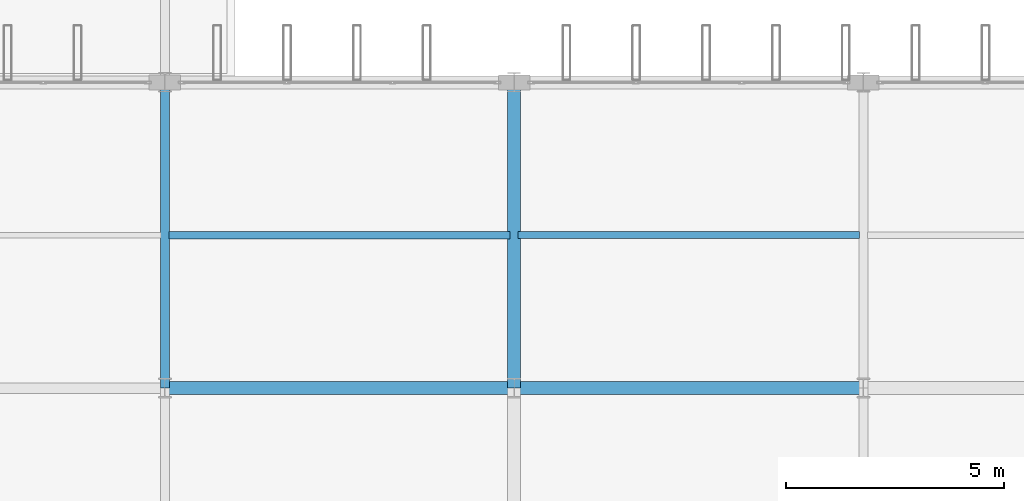
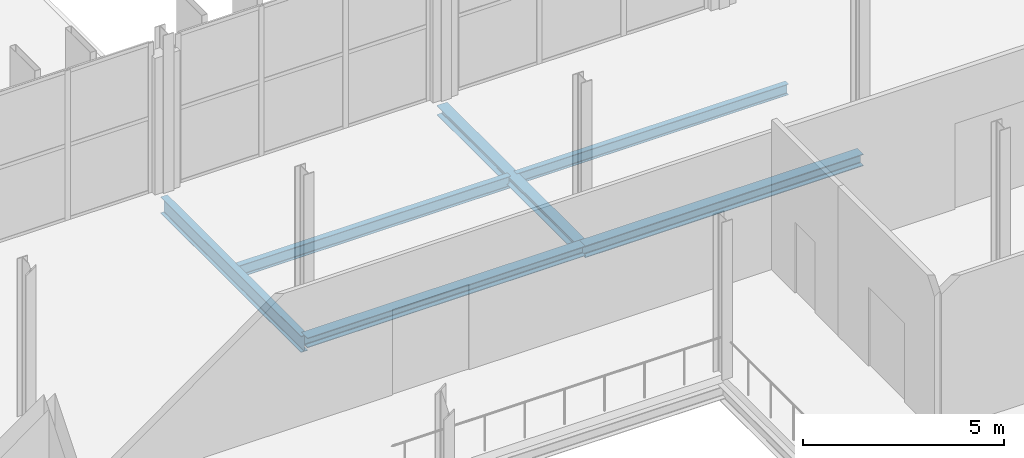
# One storey, part 49 of 120: 6 beams.
"""IFC4 building model written with IfcOpenShell, lengths in metres."""

from ifc_helpers import new_model, si_unit, direction, frame, origin, origin_2d, place, context, subcontext, project, spatial, i_section, extrude, material, material_profile, profile_set, type_object, element, save


model = new_model("IFC4")

# Units and contexts
model_context = context("Model", 3, precision=1e-05, world=origin(), true_north=direction((0.0, 1.0)))
body_context = subcontext(model_context, "Body", "Model", "MODEL_VIEW")
ifc_project = project(units=[si_unit("LENGTHUNIT", "METRE"), si_unit("AREAUNIT", "SQUARE_METRE"), si_unit("VOLUMEUNIT", "CUBIC_METRE"), si_unit("PLANEANGLEUNIT", "RADIAN"), si_unit("MASSUNIT", "GRAM", prefix="KILO")], contexts=[model_context])

# Site, building, storey
site_placement = place(None, origin())
site = spatial("IfcSite", under=ifc_project, at=site_placement, CompositionType="ELEMENT")
building_placement = place(site_placement, origin())
building = spatial("IfcBuilding", under=site, at=building_placement, Name="Vekula Escarpment Museum", CompositionType="ELEMENT")
storey_placement = place(building_placement, frame((0.0, 0.0, 13.199951171875)))
storey = spatial("IfcBuildingStorey", under=building, at=storey_placement, Name="L03", CompositionType="ELEMENT", Elevation=13.199951171875)

# Beams
ifc_material_1 = material(Name="Steel S355", Category="steel")
ifc_material_profile_1 = material_profile(ifc_material_1, i_section(OverallWidth=0.300048828125, OverallDepth=0.300048828125, WebThickness=0.010986328125, FlangeThickness=0.01904296875, FilletRadius=0.027099609375, at=origin_2d()), Name="HEB 300")
ifc_profile_set_1 = profile_set([ifc_material_profile_1], Name="Steel S355")
beam_type_1 = type_object("IfcBeamType", Name="BM-GIRD-HEB300", PredefinedType="BEAM", material=ifc_profile_set_1)
beam_1_placement = place(storey_placement, frame((102.0, 83.39990234375, -0.39990234375), z_axis=(1.0, 0.0, 0.0), x_axis=(0.0, 1.0, 0.0)))
element("IfcBeam", 1, at=beam_1_placement, inside=storey, type_object=beam_type_1, Name="Beam X L03 1410", PredefinedType="BEAM", context=body_context, shape_type="SweptSolid", body=[
    extrude(i_section(OverallWidth=0.300048828125, OverallDepth=0.300048828125, WebThickness=0.010986328125, FlangeThickness=0.01904296875, FilletRadius=0.027099609375, at=origin_2d()), origin(), (0.0, 0.0, 1.0), 8.0),
])
ifc_material_2 = material(Name="Steel S355", Category="steel")
ifc_material_profile_2 = material_profile(ifc_material_2, i_section(OverallWidth=0.300048828125, OverallDepth=0.360107421875, WebThickness=0.012451171875, FlangeThickness=0.0224609375, FilletRadius=0.027099609375, at=origin_2d()), Name="HEB 360")
ifc_profile_set_2 = profile_set([ifc_material_profile_2], Name="Steel S355")
beam_type_2 = type_object("IfcBeamType", Name="BM-GIRD-HEB360", PredefinedType="BEAM", material=ifc_profile_set_2)
beam_2_placement = place(storey_placement, frame((110.0, 83.39990234375, -0.429931640625), z_axis=(1.0, 0.0, 0.0), x_axis=(0.0, 1.0, 0.0)))
element("IfcBeam", 2, at=beam_2_placement, inside=storey, type_object=beam_type_2, Name="Beam X L03 1411", PredefinedType="BEAM", context=body_context, shape_type="SweptSolid", body=[
    extrude(i_section(OverallWidth=0.300048828125, OverallDepth=0.360107421875, WebThickness=0.012451171875, FlangeThickness=0.0224609375, FilletRadius=0.027099609375, at=origin_2d()), origin(), (0.0, 0.0, 1.0), 8.0),
])
ifc_material_3 = material(Name="Steel S355", Category="steel")
ifc_material_profile_3 = material_profile(ifc_material_3, i_section(OverallWidth=0.199951171875, OverallDepth=0.5, WebThickness=0.01025390625, FlangeThickness=0.01611328125, FilletRadius=0.02099609375, at=origin_2d()), Name="IPE 500")
ifc_profile_set_3 = profile_set([ifc_material_profile_3], Name="Steel S355")
beam_type_3 = type_object("IfcBeamType", Name="BM-GIRD-IPE500", PredefinedType="BEAM", material=ifc_profile_set_3)
beam_3_placement = place(storey_placement, frame((102.0, 83.39990234375, -0.5), z_axis=(0.0, 1.0, 0.0), x_axis=(-1.0, 0.0, 0.0)))
element("IfcBeam", 3, at=beam_3_placement, inside=storey, type_object=beam_type_3, Name="Beam Y L03 1600", PredefinedType="BEAM", context=body_context, shape_type="SweptSolid", body=[
    extrude(i_section(OverallWidth=0.199951171875, OverallDepth=0.5, WebThickness=0.01025390625, FlangeThickness=0.01611328125, FilletRadius=0.02099609375, at=origin_2d()), origin(), (0.0, 0.0, 1.0), 7.0),
])
ifc_material_4 = material(Name="Steel S355", Category="steel")
ifc_material_profile_4 = material_profile(ifc_material_4, i_section(OverallWidth=0.159912109375, OverallDepth=0.330078125, WebThickness=0.007568359375, FlangeThickness=0.011474609375, FilletRadius=0.01806640625, at=origin_2d()), Name="IPE 330")
ifc_profile_set_4 = profile_set([ifc_material_profile_4], Name="Steel S355")
beam_type_4 = type_object("IfcBeamType", Name="BM-JST-IPE330", PredefinedType="JOIST", material=ifc_profile_set_4)
beam_4_placement = place(storey_placement, frame((110.090087890625, 86.89990234375, -0.4150390625), z_axis=(1.0, 0.0, 0.0), x_axis=(0.0, 1.0, 0.0)))
element("IfcBeam", 4, at=beam_4_placement, inside=storey, type_object=beam_type_4, Name="Secondary Joist L03 1064", PredefinedType="JOIST", context=body_context, shape_type="SweptSolid", body=[
    extrude(i_section(OverallWidth=0.159912109375, OverallDepth=0.330078125, WebThickness=0.007568359375, FlangeThickness=0.011474609375, FilletRadius=0.01806640625, at=origin_2d()), origin(), (0.0, 0.0, 1.0), 7.81982421875),
])
ifc_material_5 = material(Name="Steel S355", Category="steel")
ifc_material_profile_5 = material_profile(ifc_material_5, i_section(OverallWidth=0.169921875, OverallDepth=0.360107421875, WebThickness=0.008056640625, FlangeThickness=0.0126953125, FilletRadius=0.01806640625, at=origin_2d()), Name="IPE 360")
ifc_profile_set_5 = profile_set([ifc_material_profile_5], Name="Steel S355")
beam_type_5 = type_object("IfcBeamType", Name="BM-JST-IPE360", PredefinedType="JOIST", material=ifc_profile_set_5)
beam_5_placement = place(storey_placement, frame((102.090087890625, 86.89990234375, -0.429931640625), z_axis=(1.0, 0.0, 0.0), x_axis=(0.0, 1.0, 0.0)))
element("IfcBeam", 5, at=beam_5_placement, inside=storey, type_object=beam_type_5, Name="Secondary Joist L03 1050", PredefinedType="JOIST", context=body_context, shape_type="SweptSolid", body=[
    extrude(i_section(OverallWidth=0.169921875, OverallDepth=0.360107421875, WebThickness=0.008056640625, FlangeThickness=0.0126953125, FilletRadius=0.01806640625, at=origin_2d()), origin(), (0.0, 0.0, 1.0), 7.81982421875),
])
ifc_material_6 = material(Name="Steel S355", Category="steel")
ifc_material_profile_6 = material_profile(ifc_material_6, i_section(OverallWidth=0.300048828125, OverallDepth=0.2900390625, WebThickness=0.008544921875, FlangeThickness=0.013916015625, FilletRadius=0.027099609375, at=origin_2d()), Name="HEA 300")
ifc_profile_set_6 = profile_set([ifc_material_profile_6], Name="Steel S355")
beam_type_6 = type_object("IfcBeamType", Name="BM-SPAN-HEA300", PredefinedType="SPANDREL", material=ifc_profile_set_6)
beam_6_placement = place(storey_placement, frame((110.0, 83.39990234375, -0.39501953125), z_axis=(0.0, 1.0, 0.0), x_axis=(-1.0, 0.0, 0.0)))
element("IfcBeam", 6, at=beam_6_placement, inside=storey, type_object=beam_type_6, Name="Beam Y L03 1614", PredefinedType="SPANDREL", context=body_context, shape_type="SweptSolid", body=[
    extrude(i_section(OverallWidth=0.300048828125, OverallDepth=0.2900390625, WebThickness=0.008544921875, FlangeThickness=0.013916015625, FilletRadius=0.027099609375, at=origin_2d()), origin(), (0.0, 0.0, 1.0), 7.0),
])

save(model, "model.ifc")
